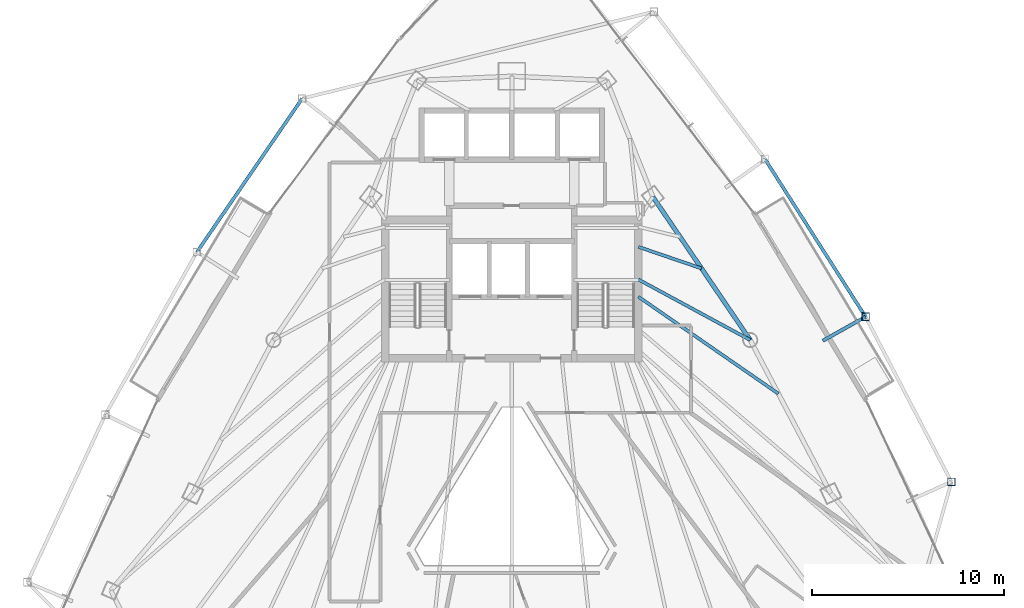
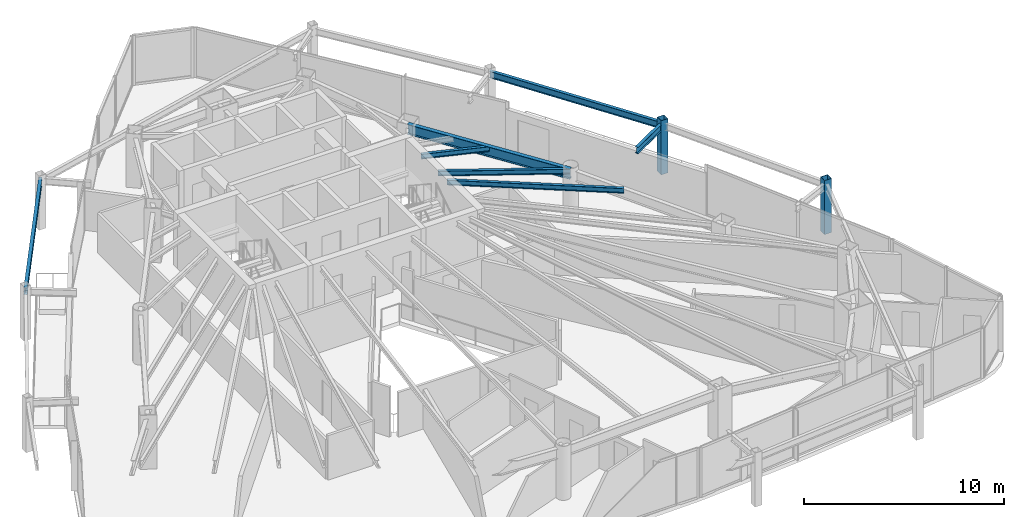
# One storey, part 17 of 30: 7 beams, 2 members.
"""IFC4 building model written with IfcOpenShell, lengths in metres."""

import ifcopenshell
import ifcopenshell.guid

model = None  # the IFC model being written
_history = None  # IfcOwnerHistory: only IFC2X3 demands one
_inside = {}  # id of a spatial element -> (the spatial element, [elements in it])
_under = {}  # id of a project, library or spatial element -> (it, [spatial elements below it])
_declared = {}  # id of a project -> (the project, [libraries it declares])
_typed = {}  # id of a type object -> (the type object, [elements of that type])
_made_of = {}  # id of a material, layer set ... -> (it, [elements and type objects made of it])


def new_model(schema):
    """Start an empty IFC model of exactly this schema.

    Asked for "IFC4X3", IfcOpenShell would pick the latest addendum, in which some entities
    have other attributes; the version numbers below select the first issue.
    IFC2X3 requires an IfcOwnerHistory on every rooted entity: one is made here for all.
    """
    global model, _history
    if schema == "IFC4X3":
        model = ifcopenshell.file(schema_version=(4, 3, 0, 0))
    else:
        model = ifcopenshell.file(schema=schema)
    _inside.clear()
    _under.clear()
    _declared.clear()
    _typed.clear()
    _made_of.clear()
    _history = None
    if model.schema == "IFC2X3":
        org = make("IfcOrganization", Name="unknown")
        user = make(
            "IfcPersonAndOrganization",
            ThePerson=make("IfcPerson", FamilyName="unknown"),
            TheOrganization=org,
        )
        app = make(
            "IfcApplication",
            ApplicationDeveloper=org,
            Version="unknown",
            ApplicationFullName="unknown",
            ApplicationIdentifier="unknown",
        )
        _history = make(
            "IfcOwnerHistory",
            OwningUser=user,
            OwningApplication=app,
            ChangeAction="ADDED",
            CreationDate=0,
        )
    return model


def make(cls, **values):
    """One entity of the class cls with the attributes given. An attribute that is None is left unset."""
    return model.create_entity(
        cls, **{name: value for name, value in values.items() if value is not None}
    )


def rooted(cls, **values):
    """An entity with a GlobalId (a new one), such as an element, a storey or a relation."""
    return make(cls, GlobalId=ifcopenshell.guid.new(), OwnerHistory=_history, **values)


def si_unit(unit_type, name, prefix=None):
    """IfcSIUnit, for example si_unit("LENGTHUNIT", "METRE", prefix="MILLI")."""
    return make("IfcSIUnit", UnitType=unit_type, Prefix=prefix, Name=name)


def assignment(units):
    """IfcUnitAssignment: the units of a project."""
    return None if units is None else make("IfcUnitAssignment", Units=units)


def point(xyz):
    """IfcCartesianPoint."""
    return None if xyz is None else make("IfcCartesianPoint", Coordinates=xyz)


def direction(xyz):
    """IfcDirection."""
    return None if xyz is None else make("IfcDirection", DirectionRatios=xyz)


def frame(location, z_axis=None, x_axis=None):
    """IfcAxis2Placement3D, a coordinate frame: its origin and axes. An axis left out is left unset."""
    return make(
        "IfcAxis2Placement3D",
        Location=point(location),
        Axis=direction(z_axis),
        RefDirection=direction(x_axis),
    )


def frame_2d(location, x_axis=None):
    """IfcAxis2Placement2D, a coordinate frame in the plane: its origin and x axis."""
    return make(
        "IfcAxis2Placement2D", Location=point(location), RefDirection=direction(x_axis)
    )


def origin():
    """The frame at (0, 0, 0) with its axes left unset."""
    return frame((0.0, 0.0, 0.0))


def origin_2d():
    """The frame at (0, 0) in the plane with its x axis left unset."""
    return frame_2d((0.0, 0.0))


def place(relative_to, where):
    """IfcLocalPlacement: puts the frame where relative to a parent placement (None: the world)."""
    return make(
        "IfcLocalPlacement", PlacementRelTo=relative_to, RelativePlacement=where
    )


def context(
    kind, dimensions, precision=None, world=None, true_north=None, identifier=None
):
    """IfcGeometricRepresentationContext, for example the 3D "Model" context."""
    return make(
        "IfcGeometricRepresentationContext",
        ContextIdentifier=identifier,
        ContextType=kind,
        CoordinateSpaceDimension=dimensions,
        Precision=precision,
        WorldCoordinateSystem=world,
        TrueNorth=true_north,
    )


def subcontext(parent, identifier, kind, view, scale=None):
    """IfcGeometricRepresentationSubContext, for example "Body" below "Model"."""
    return make(
        "IfcGeometricRepresentationSubContext",
        ContextIdentifier=identifier,
        ContextType=kind,
        ParentContext=parent,
        TargetScale=scale,
        TargetView=view,
    )


def project(units=None, contexts=None):
    """IfcProject with its units and contexts."""
    return rooted(
        "IfcProject",
        Name="project",
        RepresentationContexts=contexts,
        UnitsInContext=assignment(units),
    )


def spatial(cls, under=None, at=None, **own):
    """A site, building, storey or space (cls), placed at a placement, below another one or the project."""
    s = rooted(cls, ObjectPlacement=at, **own)
    if under is not None:
        _under.setdefault(under.id(), (under, []))[1].append(s)
    return s


def profile(cls, at=None, kind="AREA", **sizes):
    """A parametric profile (cls). Its sizes go by their IFC names, for example OverallWidth=200.0."""
    return make(cls, ProfileType=kind, Position=at, **sizes)


def hollow_rectangle(**sizes):
    """IfcRectangleHollowProfileDef."""
    return profile("IfcRectangleHollowProfileDef", **sizes)


def i_section(**sizes):
    """IfcIShapeProfileDef."""
    return profile("IfcIShapeProfileDef", **sizes)


def extrude(swept, where, along, depth):
    """IfcExtrudedAreaSolid: the profile swept, set in the frame where, extruded along a direction by depth."""
    return make(
        "IfcExtrudedAreaSolid",
        SweptArea=swept,
        Position=where,
        ExtrudedDirection=direction(along),
        Depth=depth,
    )


def shape(context_of_items, identifier, shape_type, items):
    """IfcShapeRepresentation: the items that make up one representation, for example the "Body"."""
    return make(
        "IfcShapeRepresentation",
        ContextOfItems=context_of_items,
        RepresentationIdentifier=identifier,
        RepresentationType=shape_type,
        Items=items,
    )


def material(Name=None, Category=None):
    """IfcMaterial."""
    return make("IfcMaterial", Name=Name, Category=Category)


def material_profile(
    of_material, cross_section, Name=None, Category=None, Priority=None
):
    """IfcMaterialProfile: a cross section and its material."""
    return make(
        "IfcMaterialProfile",
        Name=Name,
        Material=of_material,
        Profile=cross_section,
        Priority=Priority,
        Category=Category,
    )


def profile_set(profiles, Name=None, composite=None):
    """IfcMaterialProfileSet."""
    return make(
        "IfcMaterialProfileSet",
        Name=Name,
        MaterialProfiles=profiles,
        CompositeProfile=composite,
    )


def made_of(thing, what):
    """Note that an element or type object is made of a material, layer set ...; save() writes the relation."""
    if what is not None:
        _made_of.setdefault(what.id(), (what, []))[1].append(thing)
    return thing


def type_object(cls, material=None, **own):
    """A type object (cls), such as IfcWallType, which elements share."""
    return made_of(rooted(cls, **own), material)


def element(
    cls,
    number,
    at=None,
    inside=None,
    cuts=None,
    type_object=None,
    material=None,
    context=None,
    identifier="Body",
    shape_type=None,
    held_by="IfcProductDefinitionShape",
    body=None,
    shapes=None,
    **own,
):
    """One element of the class cls, such as IfcWall. Its Tag is "e" and its number.

    at: its placement. inside: the storey or other place that contains it. cuts: it is an
    opening in that element (IfcRelVoidsElement). A single representation is given by context,
    identifier, shape_type and body (its items); several are given by shapes. held_by: the class
    of the entity that holds the representations. save() writes the other relations.
    """
    e = rooted(cls, Tag="e%d" % number, ObjectPlacement=at, **own)
    if body is not None:
        shapes = [shape(context, identifier, shape_type, body)]
    if shapes is not None:
        e.Representation = make(held_by, Representations=shapes)
    if inside is not None:
        _inside.setdefault(inside.id(), (inside, []))[1].append(e)
    if cuts is not None:
        rooted(
            "IfcRelVoidsElement", RelatingBuildingElement=cuts, RelatedOpeningElement=e
        )
    if type_object is not None:
        _typed.setdefault(type_object.id(), (type_object, []))[1].append(e)
    return made_of(e, material)


def aggregate(whole, parts):
    """IfcRelAggregates: a whole, such as a stair, and the parts it consists of."""
    return rooted("IfcRelAggregates", RelatingObject=whole, RelatedObjects=parts)


def save(model, path):
    """Write the relations noted so far, then the file.

    IfcRelAggregates (storeys below a building ...), IfcRelContainedInSpatialStructure (elements
    in a storey), IfcRelDefinesByType, IfcRelAssociatesMaterial and IfcRelDeclares: one each for
    every whole, place, type object, material and project.
    """
    for whole, parts in _under.values():
        aggregate(whole, parts)
    for where, things in _inside.values():
        rooted(
            "IfcRelContainedInSpatialStructure",
            RelatedElements=things,
            RelatingStructure=where,
        )
    for kind, things in _typed.values():
        rooted("IfcRelDefinesByType", RelatedObjects=things, RelatingType=kind)
    for what, things in _made_of.values():
        rooted("IfcRelAssociatesMaterial", RelatedObjects=things, RelatingMaterial=what)
    for by, libraries in _declared.values():
        rooted("IfcRelDeclares", RelatingContext=by, RelatedDefinitions=libraries)
    model.write(path)


model = new_model("IFC4")

# Units and contexts
model_context = context("Model", 3, precision=1e-05, world=origin(), true_north=direction((0.0, 1.0)))
body_context = subcontext(model_context, "Body", "Model", "MODEL_VIEW")
ifc_project = project(units=[si_unit("LENGTHUNIT", "METRE"), si_unit("AREAUNIT", "SQUARE_METRE"), si_unit("VOLUMEUNIT", "CUBIC_METRE"), si_unit("PLANEANGLEUNIT", "RADIAN"), si_unit("MASSUNIT", "GRAM", prefix="KILO")], contexts=[model_context])

# Site, building, storey
site_placement = place(None, origin())
site = spatial("IfcSite", under=ifc_project, at=site_placement, CompositionType="ELEMENT")
building_placement = place(site_placement, origin())
building = spatial("IfcBuilding", under=site, at=building_placement, Name="Orvanel Arch Residences", CompositionType="ELEMENT")
storey_placement = place(building_placement, frame((0.0, 0.0, 139.699951171875)))
storey = spatial("IfcBuildingStorey", under=building, at=storey_placement, Name="L39", CompositionType="ELEMENT", Elevation=139.699951171875)

# Beams
ifc_material_1 = material(Name="Structural steel AS/NZS 3679.1 Grade 300 (300 MPa)", Category="steel")
ifc_material_profile_1 = material_profile(ifc_material_1, i_section(OverallWidth=0.1650390625, OverallDepth=0.303955078125, WebThickness=0.006103515625, FlangeThickness=0.01025390625, at=origin_2d()), Name="310UB40.4")
ifc_profile_set_1 = profile_set([ifc_material_profile_1], Name="Structural steel AS/NZS 3679.1 Grade 300 (300 MPa)")
beam_type_1 = type_object("IfcBeamType", Name="BJ-310UB", PredefinedType="JOIST", material=ifc_profile_set_1)
beam_1_placement = place(storey_placement, frame((39.60009765625, 30.800048828125, 2.907958984375), z_axis=(0.87925534649, -0.476350748576, 0.0), x_axis=(0.476350748576, 0.87925534649, 0.0)))
element("IfcBeam", 1, at=beam_1_placement, inside=storey, type_object=beam_type_1, Name="L39 NE Wing Floor Joist", PredefinedType="JOIST", context=body_context, shape_type="SweptSolid", body=[
    extrude(i_section(OverallWidth=0.1650390625, OverallDepth=0.303955078125, WebThickness=0.006103515625, FlangeThickness=0.01025390625, at=origin_2d()), origin(), (0.0, 0.0, 1.0), 6.631591796875),
])
beam_2_placement = place(storey_placement, frame((39.60009765625, 32.5, 2.907958984375), z_axis=(0.9464126781, -0.322959815969, 0.0), x_axis=(0.322959815969, 0.9464126781, 0.0)))
element("IfcBeam", 2, at=beam_2_placement, inside=storey, type_object=beam_type_1, Name="L39 ENE Wing Floor Joist", PredefinedType="JOIST", context=body_context, shape_type="SweptSolid", body=[
    extrude(i_section(OverallWidth=0.1650390625, OverallDepth=0.303955078125, WebThickness=0.006103515625, FlangeThickness=0.01025390625, at=origin_2d()), origin(), (0.0, 0.0, 1.0), 3.477294921875),
])
beam_3_placement = place(storey_placement, frame((39.60009765625, 29.89990234375, 2.907958984375), z_axis=(0.822002180325, -0.569484341787, 0.0), x_axis=(0.569484341787, 0.822002180325, 0.0)))
element("IfcBeam", 3, at=beam_3_placement, inside=storey, type_object=beam_type_1, Name="L39 CTE Wing Floor Joist", PredefinedType="JOIST", context=body_context, shape_type="SweptSolid", body=[
    extrude(i_section(OverallWidth=0.1650390625, OverallDepth=0.303955078125, WebThickness=0.006103515625, FlangeThickness=0.01025390625, at=origin_2d()), origin(), (0.0, 0.0, 1.0), 8.88330078125),
])
ifc_material_profile_2 = material_profile(ifc_material_1, i_section(OverallWidth=0.177978515625, OverallDepth=0.406005859375, WebThickness=0.0078125, FlangeThickness=0.0126953125, at=origin_2d()), Name="410UB59.7")
ifc_profile_set_2 = profile_set([ifc_material_profile_2], Name="Structural steel AS/NZS 3679.1 Grade 300 (300 MPa)")
beam_type_2 = type_object("IfcBeamType", Name="OB-410UB-EXT", PredefinedType="SPANDREL", material=ifc_profile_set_2)
beam_4_placement = place(storey_placement, frame((22.06689453125, 40.23291015625, 2.85693359375), z_axis=(-0.565443260383, -0.824787196365, 0.0), x_axis=(0.824787196365, -0.565443260383, 0.0)))
element("IfcBeam", 4, at=beam_4_placement, inside=storey, type_object=beam_type_2, Name="L39 Outer Perimeter Floor Ring Beam 01", PredefinedType="SPANDREL", context=body_context, shape_type="SweptSolid", body=[
    extrude(i_section(OverallWidth=0.177978515625, OverallDepth=0.406005859375, WebThickness=0.0078125, FlangeThickness=0.0126953125, at=origin_2d()), origin(), (0.0, 0.0, 1.0), 9.701904296875),
])
beam_5_placement = place(storey_placement, frame((49.220947265625, 27.60595703125, 2.85693359375), z_axis=(0.871662441925, 0.490106710153, 0.0), x_axis=(-0.490106710153, 0.871662441925, 0.0)))
element("IfcBeam", 5, at=beam_5_placement, inside=storey, type_object=beam_type_2, Name="L39 Outer Frame Radial Tie Beam 10", PredefinedType="SPANDREL", context=body_context, shape_type="SweptSolid", body=[
    extrude(i_section(OverallWidth=0.177978515625, OverallDepth=0.406005859375, WebThickness=0.0078125, FlangeThickness=0.0126953125, at=origin_2d()), origin(), (0.0, 0.0, 1.0), 2.550537109375),
])
beam_6_placement = place(storey_placement, frame((51.444091796875, 28.85595703125, 2.85693359375), z_axis=(-0.537902363654, 0.843007145388, 0.0), x_axis=(-0.843007145388, -0.537902363654, 0.0)))
element("IfcBeam", 6, at=beam_6_placement, inside=storey, type_object=beam_type_2, Name="L39 Outer Perimeter Floor Ring Beam 10", PredefinedType="SPANDREL", context=body_context, shape_type="SweptSolid", body=[
    extrude(i_section(OverallWidth=0.177978515625, OverallDepth=0.406005859375, WebThickness=0.0078125, FlangeThickness=0.0126953125, at=origin_2d()), origin(), (0.0, 0.0, 1.0), 9.734375),
])
ifc_material_profile_3 = material_profile(ifc_material_1, i_section(OverallWidth=0.22900390625, OverallDepth=0.612060546875, WebThickness=0.011962890625, FlangeThickness=0.01953125, at=origin_2d()), Name="610UB125")
ifc_profile_set_3 = profile_set([ifc_material_profile_3], Name="Structural steel AS/NZS 3679.1 Grade 300 (300 MPa)")
beam_type_3 = type_object("IfcBeamType", Name="SP-610UB", PredefinedType="SPANDREL", material=ifc_profile_set_3)
beam_7_placement = place(storey_placement, frame((45.430908203125, 27.64111328125, 2.754150390625), z_axis=(-0.562154793153, 0.827032035978, 0.0), x_axis=(-0.827032035978, -0.562154793153, 0.0)))
element("IfcBeam", 7, at=beam_7_placement, inside=storey, type_object=beam_type_3, Name="L39 Perimeter Spandrel Beam 12", PredefinedType="SPANDREL", context=body_context, shape_type="SweptSolid", body=[
    extrude(i_section(OverallWidth=0.22900390625, OverallDepth=0.612060546875, WebThickness=0.011962890625, FlangeThickness=0.01953125, at=origin_2d()), origin(), (0.0, 0.0, 1.0), 9.03466796875),
])

# Members
ifc_material_2 = material(Name="Structural steel AS/NZS 1163 C450L0 (Grade 450)", Category="steel")
ifc_material_profile_4 = material_profile(ifc_material_2, hollow_rectangle(XDim=0.39990234375, YDim=0.39990234375, WallThickness=0.01611328125, at=origin_2d()), Name="SHS400x400x16")
ifc_profile_set_4 = profile_set([ifc_material_profile_4], Name="Structural steel AS/NZS 1163 C450L0 (Grade 450)")
member_type = type_object("IfcMemberType", Name="ST-400SHS-EXT", PredefinedType="STRUT", material=ifc_profile_set_4)
for number, where, z_axis, x_axis, name in (
    (8, (55.9208984375, 20.248046875, 0.0), (0.0, 0.0, 1.0), (1.0, 0.0, 0.0), "L39 Outer Perimeter Frame Post 09"),
    (9, (51.444091796875, 28.85595703125, 0.0), (0.0, 0.0, 1.0), (1.0, 0.0, 0.0), "L39 Outer Perimeter Frame Post 10"),
):
    element("IfcMember", number, at=place(storey_placement, frame(where, z_axis=z_axis, x_axis=x_axis)), inside=storey, type_object=member_type, Name=name, PredefinedType="STRUT", context=body_context, shape_type="SweptSolid", body=[
        extrude(hollow_rectangle(XDim=0.39990234375, YDim=0.39990234375, WallThickness=0.01611328125, at=origin_2d()), origin(), (0.0, 0.0, 1.0), 3.300048828125),
    ])

save(model, "model.ifc")
